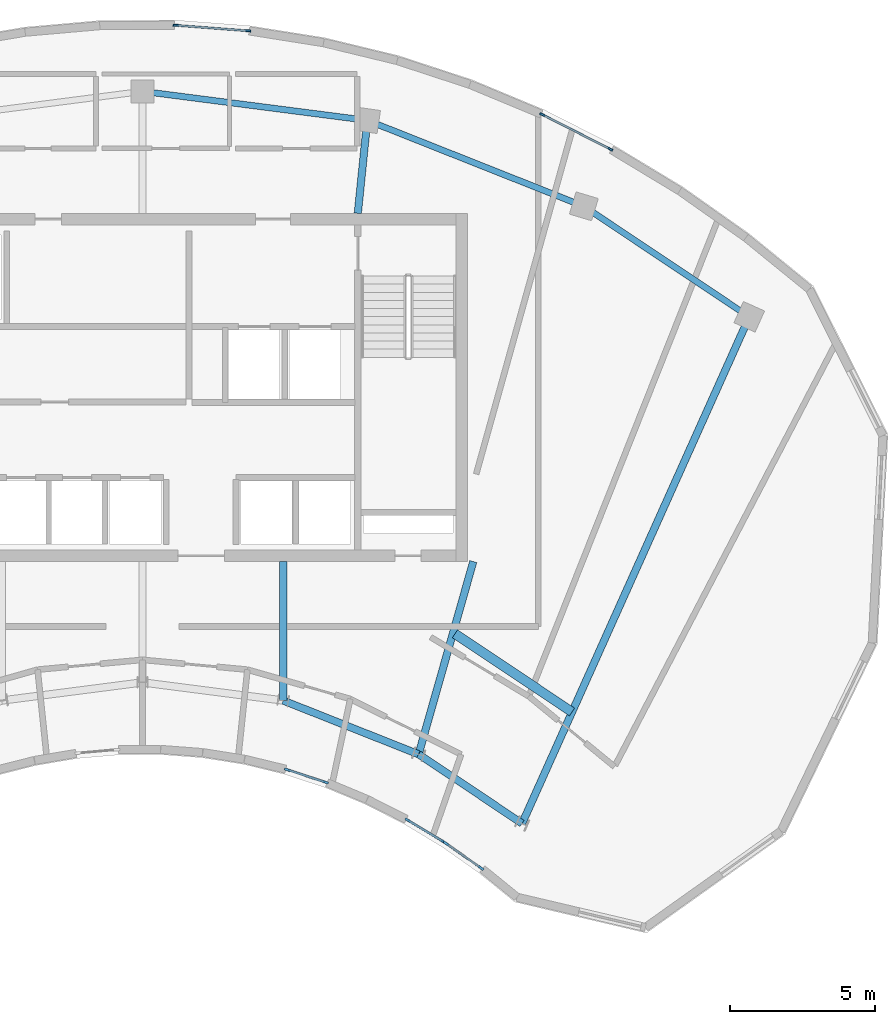
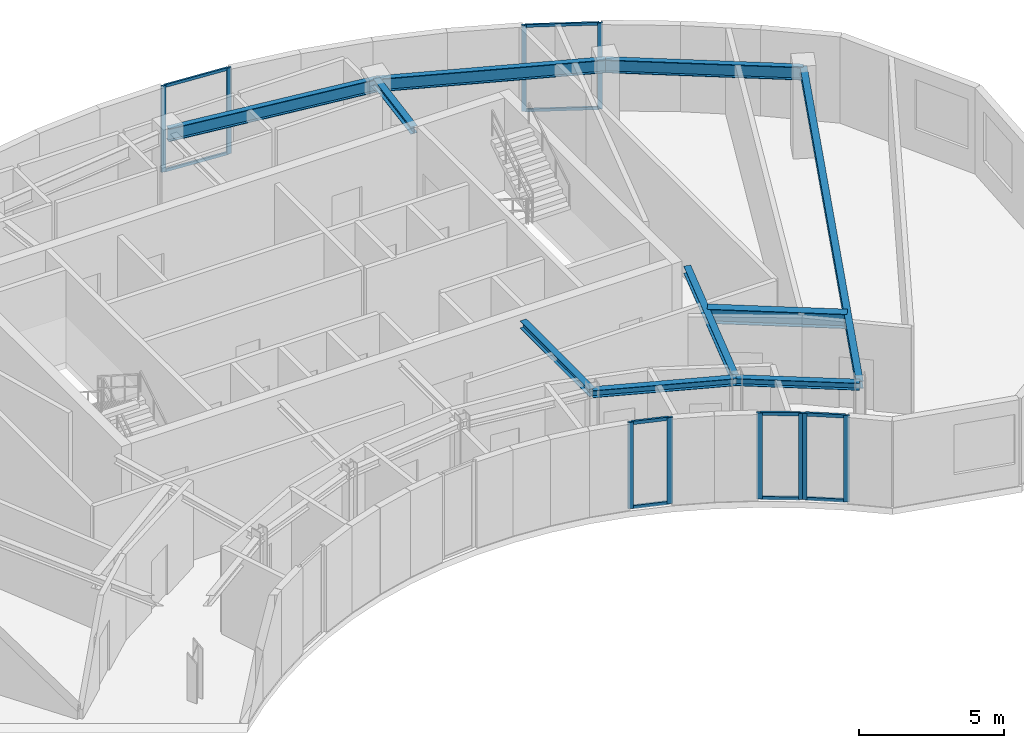
# One storey, part 3 of 9: 20 members, 10 beams, 5 elements without a shape of their own.
"""IFC4 building model written with IfcOpenShell, lengths in metres."""

from ifc_helpers import new_model, si_unit, direction, frame, origin, origin_2d, place, context, subcontext, project, spatial, rectangle, i_section, extrude, source, transform, mapped, material, layer, layer_set, material_profile, profile_set, type_object, element, aggregate, save


model = new_model("IFC4")

# Units and contexts
model_context = context("Model", 3, precision=1e-05, world=origin(), true_north=direction((0.0, 1.0)))
body_context = subcontext(model_context, "Body", "Model", "MODEL_VIEW")
ifc_project = project(units=[si_unit("LENGTHUNIT", "METRE"), si_unit("AREAUNIT", "SQUARE_METRE"), si_unit("VOLUMEUNIT", "CUBIC_METRE"), si_unit("PLANEANGLEUNIT", "RADIAN"), si_unit("MASSUNIT", "GRAM", prefix="KILO")], contexts=[model_context])

# Site, building, storey
site_placement = place(None, origin())
site = spatial("IfcSite", under=ifc_project, at=site_placement, CompositionType="ELEMENT")
building_placement = place(site_placement, origin())
building = spatial("IfcBuilding", under=site, at=building_placement, Name="Breltana Convention Tower", CompositionType="ELEMENT")
storey_placement = place(building_placement, frame((0.0, 0.0, 287.39990234375)))
storey = spatial("IfcBuildingStorey", under=building, at=storey_placement, Name="L70", CompositionType="ELEMENT", Elevation=287.39990234375)

# Beams
ifc_material_1 = material(Name="Steel ASTM A992 Grade 50", Category="steel")
ifc_material_profile_1 = material_profile(ifc_material_1, i_section(OverallWidth=0.323974609375, OverallDepth=0.611083984375, WebThickness=0.0126953125, FlangeThickness=0.01904296875, at=origin_2d()), Name="W24X104")
ifc_profile_set_1 = profile_set([ifc_material_profile_1], Name="Steel ASTM A992 Grade 50")
beam_type_1 = type_object("IfcBeamType", Name="BM-JSG-01", PredefinedType="JOIST", material=ifc_profile_set_1)
shared_shape_1 = source(origin(), body_context, "Body", "SweptSolid", [
    extrude(i_section(OverallWidth=0.323974609375, OverallDepth=0.611083984375, WebThickness=0.0126953125, FlangeThickness=0.01904296875, at=origin_2d()), origin(), (0.0, 0.0, 1.0), 4.854736328125),
])
beam_1_placement = place(storey_placement, frame((58.767578125, 57.71240234375, 3.334716796875), z_axis=(0.831485074305, -0.555547091801, 0.0), x_axis=(0.555547091801, 0.831485074305, 0.0)))
element("IfcBeam", 1, at=beam_1_placement, inside=storey, type_object=beam_type_1, Name="L70 Composite Floor Joist 08.1", PredefinedType="JOIST", context=body_context, shape_type="MappedRepresentation", body=[
    mapped(shared_shape_1, transform((0.0, 0.0, 0.0), scale=1.0)),
])
ifc_material_profile_2 = material_profile(ifc_material_1, i_section(OverallWidth=0.214111328125, OverallDepth=0.549072265625, WebThickness=0.0146484375, FlangeThickness=0.023681640625, at=origin_2d()), Name="W21X93")
ifc_profile_set_2 = profile_set([ifc_material_profile_2], Name="Steel ASTM A992 Grade 50")
beam_type_2 = type_object("IfcBeamType", Name="BM-SP-W21X93", PredefinedType="SPANDREL", material=ifc_profile_set_2)
shared_shape_2 = source(origin(), body_context, "Body", "SweptSolid", [
    extrude(i_section(OverallWidth=0.214111328125, OverallDepth=0.549072265625, WebThickness=0.0146484375, FlangeThickness=0.023681640625, at=origin_2d()), origin(), (0.0, 0.0, 1.0), 8.028564453125),
])
beam_2_placement = place(storey_placement, frame((55.746826171875, 75.404296875, 3.365478515625), z_axis=(0.929459100394, -0.368925169507, 0.0), x_axis=(0.368925169507, 0.929459100394, 0.0)))
element("IfcBeam", 2, at=beam_2_placement, inside=storey, type_object=beam_type_2, Name="L70 Outer Spandrel Beam 07", PredefinedType="SPANDREL", context=body_context, shape_type="MappedRepresentation", body=[
    mapped(shared_shape_2, transform((0.0, 0.0, 0.0), scale=1.0)),
])
shared_shape_3 = source(origin(), body_context, "Body", "SweptSolid", [
    extrude(i_section(OverallWidth=0.214111328125, OverallDepth=0.549072265625, WebThickness=0.0146484375, FlangeThickness=0.023681640625, at=origin_2d()), origin(), (0.0, 0.0, 1.0), 7.81103515625),
])
beam_3_placement = place(storey_placement, frame((48.0, 76.404052734375, 3.365478515625), z_axis=(0.991775179127, -0.127992164083, 0.0), x_axis=(0.127992164083, 0.991775179127, 0.0)))
element("IfcBeam", 3, at=beam_3_placement, inside=storey, type_object=beam_type_2, Name="L70 Outer Spandrel Beam 06", PredefinedType="SPANDREL", context=body_context, shape_type="MappedRepresentation", body=[
    mapped(shared_shape_3, transform((0.0, 0.0, 0.0), scale=1.0)),
])
shared_shape_4 = source(origin(), body_context, "Body", "SweptSolid", [
    extrude(i_section(OverallWidth=0.214111328125, OverallDepth=0.549072265625, WebThickness=0.0146484375, FlangeThickness=0.023681640625, at=origin_2d()), origin(), (0.0, 0.0, 1.0), 6.856689453125),
])
beam_4_placement = place(storey_placement, frame((63.208984375, 72.4423828125, 3.365478515625), z_axis=(0.83150210718, -0.55552159792, 0.0), x_axis=(0.55552159792, 0.83150210718, 0.0)))
element("IfcBeam", 4, at=beam_4_placement, inside=storey, type_object=beam_type_2, Name="L70 Outer Spandrel Beam 08", PredefinedType="SPANDREL", context=body_context, shape_type="MappedRepresentation", body=[
    mapped(shared_shape_4, transform((0.0, 0.0, 0.0), scale=1.0)),
])
ifc_material_profile_3 = material_profile(ifc_material_1, i_section(OverallWidth=0.25390625, OverallDepth=0.305908203125, WebThickness=0.0087890625, FlangeThickness=0.0146484375, at=origin_2d()), Name="W12X53")
ifc_profile_set_3 = profile_set([ifc_material_profile_3], Name="Steel ASTM A992 Grade 50")
beam_type_3 = type_object("IfcBeamType", Name="BM-CN-W12X53", PredefinedType="BEAM", material=ifc_profile_set_3)
shared_shape_5 = source(origin(), body_context, "Body", "SweptSolid", [
    extrude(i_section(OverallWidth=0.25390625, OverallDepth=0.305908203125, WebThickness=0.0087890625, FlangeThickness=0.0146484375, at=origin_2d()), origin(), (0.0, 0.0, 1.0), 6.904541015625),
])
beam_5_placement = place(storey_placement, frame((59.39990234375, 60.199951171875, 3.487060546875), z_axis=(-0.273006781054, -0.962012108811, 0.0), x_axis=(0.962012108811, -0.273006781054, 0.0)))
element("IfcBeam", 5, at=beam_5_placement, inside=storey, type_object=beam_type_3, Name="L70 South Core Tie Girder R08", PredefinedType="BEAM", context=body_context, shape_type="MappedRepresentation", body=[
    mapped(shared_shape_5, transform((0.0, 0.0, 0.0), scale=1.0)),
])
shared_shape_6 = source(origin(), body_context, "Body", "SweptSolid", [
    extrude(i_section(OverallWidth=0.25390625, OverallDepth=0.305908203125, WebThickness=0.0087890625, FlangeThickness=0.0146484375, at=origin_2d()), origin(), (0.0, 0.0, 1.0), 4.789306640625),
])
beam_6_placement = place(storey_placement, frame((52.846435546875, 60.199951171875, 3.487060546875), z_axis=(0.0, -1.0, 0.0), x_axis=(1.0, 0.0, 0.0)))
element("IfcBeam", 6, at=beam_6_placement, inside=storey, type_object=beam_type_3, Name="L70 South Core Tie Girder R07", PredefinedType="BEAM", context=body_context, shape_type="MappedRepresentation", body=[
    mapped(shared_shape_6, transform((0.0, 0.0, 0.0), scale=1.0)),
])
shared_shape_7 = source(origin(), body_context, "Body", "SweptSolid", [
    extrude(i_section(OverallWidth=0.25390625, OverallDepth=0.305908203125, WebThickness=0.0087890625, FlangeThickness=0.0146484375, at=origin_2d()), origin(), (0.0, 0.0, 1.0), 3.220947265625),
])
beam_7_placement = place(storey_placement, frame((55.419921875, 72.199951171875, 3.487060546875), z_axis=(0.101492254858, 0.994836329355, 0.0), x_axis=(-0.994836329355, 0.101492254858, 0.0)))
element("IfcBeam", 7, at=beam_7_placement, inside=storey, type_object=beam_type_3, Name="L70 North Core Radial Girder R07", PredefinedType="BEAM", context=body_context, shape_type="MappedRepresentation", body=[
    mapped(shared_shape_7, transform((0.0, 0.0, 0.0), scale=1.0)),
])
shared_shape_8 = source(origin(), body_context, "Body", "SweptSolid", [
    extrude(i_section(OverallWidth=0.25390625, OverallDepth=0.305908203125, WebThickness=0.0087890625, FlangeThickness=0.0146484375, at=origin_2d()), origin(), (0.0, 0.0, 1.0), 19.133544921875),
])
beam_8_placement = place(storey_placement, frame((61.08203125, 51.174560546875, 3.487060546875), z_axis=(0.409144564164, 0.912469575172, 0.0), x_axis=(-0.912469575172, 0.409144564164, 0.0)))
element("IfcBeam", 8, at=beam_8_placement, inside=storey, type_object=beam_type_3, Name="L70 Radial Floor Girder R09", PredefinedType="BEAM", context=body_context, shape_type="MappedRepresentation", body=[
    mapped(shared_shape_8, transform((0.0, 0.0, 0.0), scale=1.0)),
])
shared_shape_9 = source(origin(), body_context, "Body", "SweptSolid", [
    extrude(i_section(OverallWidth=0.25390625, OverallDepth=0.305908203125, WebThickness=0.0087890625, FlangeThickness=0.0146484375, at=origin_2d()), origin(), (0.0, 0.0, 1.0), 5.022705078125),
])
beam_9_placement = place(storey_placement, frame((52.846435546875, 55.41064453125, 3.487060546875), z_axis=(0.929458966248, -0.368925507469, 0.0), x_axis=(0.368925507469, 0.929458966248, 0.0)))
element("IfcBeam", 9, at=beam_9_placement, inside=storey, type_object=beam_type_3, Name="L70 Inner Ring Beam 07", PredefinedType="BEAM", context=body_context, shape_type="MappedRepresentation", body=[
    mapped(shared_shape_9, transform((0.0, 0.0, 0.0), scale=1.0)),
])
shared_shape_10 = source(origin(), body_context, "Body", "SweptSolid", [
    extrude(i_section(OverallWidth=0.25390625, OverallDepth=0.305908203125, WebThickness=0.0087890625, FlangeThickness=0.0146484375, at=origin_2d()), origin(), (0.0, 0.0, 1.0), 4.2900390625),
])
beam_10_placement = place(storey_placement, frame((57.514892578125, 53.5576171875, 3.487060546875), z_axis=(0.831515827753, -0.555501060482, 0.0), x_axis=(0.555501060482, 0.831515827753, 0.0)))
element("IfcBeam", 10, at=beam_10_placement, inside=storey, type_object=beam_type_3, Name="L70 Inner Ring Beam 08", PredefinedType="BEAM", context=body_context, shape_type="MappedRepresentation", body=[
    mapped(shared_shape_10, transform((0.0, 0.0, 0.0), scale=1.0)),
])

# Curtain wall, members
ifc_material_2 = material(Name="Aluminium Anodised Bronze Frame", Category="aluminium")
ifc_layer_1 = layer(ifc_material_2, 0.18994140625, Name="Aluminium Anodised Bronze Frame")
ifc_layer_set_1 = layer_set([ifc_layer_1], Name="Aluminium Anodised Bronze Frame")
curtain_wall_type_1 = type_object("IfcCurtainWallType", Name="CW-SYS-1", PredefinedType="NOTDEFINED", material=ifc_layer_set_1)
curtain_wall_1_placement = place(storey_placement, origin())
curtain_wall_1 = element("IfcCurtainWall", 11, at=curtain_wall_1_placement, inside=storey, type_object=curtain_wall_type_1, Name="L70 inner south-court glazing 1", PredefinedType="NOTDEFINED")
ifc_material_3 = material(Name="Aluminium Anodised Bronze", Category="aluminium")
ifc_material_profile_4 = material_profile(ifc_material_3, rectangle(XDim=0.080078125, YDim=0.199951171875, at=origin_2d()), Name="CWM-80X200")
ifc_profile_set_4 = profile_set([ifc_material_profile_4], Name="Aluminium Anodised Bronze")
member_type_1 = type_object("IfcMemberType", Name="CWM-200", PredefinedType="MULLION", material=ifc_profile_set_4)
shared_shape_11 = source(origin(), body_context, "Body", "SweptSolid", [
    extrude(rectangle(XDim=0.080078125, YDim=0.199951171875, at=origin_2d()), origin(), (0.0, 0.0, 1.0), 3.64013671875),
])
member_1_placement = place(storey_placement, frame((59.667724609375, 49.635986328125, 0.0), z_axis=(0.0, 0.0, 1.0), x_axis=(-0.576173895534, -0.817327132857, 0.0)))
member_1 = element("IfcMember", 12, at=member_1_placement, type_object=member_type_1, Name="CW-01 mullion 1", PredefinedType="MULLION", context=body_context, shape_type="MappedRepresentation", body=[
    mapped(shared_shape_11, transform((0.0, 0.0, 0.0), scale=1.0)),
])
member_2_placement = place(storey_placement, frame((58.4599609375, 50.4873046875, 0.0), z_axis=(0.0, 0.0, 1.0), x_axis=(-0.576173895534, -0.817327132857, 0.0)))
member_2 = element("IfcMember", 13, at=member_2_placement, type_object=member_type_1, Name="CW-01 mullion 2", PredefinedType="MULLION", context=body_context, shape_type="MappedRepresentation", body=[
    mapped(shared_shape_11, transform((0.0, 0.0, 0.0), scale=1.0)),
])

curtain_wall_2_placement = place(storey_placement, origin())
curtain_wall_2 = element("IfcCurtainWall", 14, at=curtain_wall_2_placement, inside=storey, type_object=curtain_wall_type_1, Name="L70 inner south-court glazing 2", PredefinedType="NOTDEFINED")
member_3_placement = place(storey_placement, frame((58.38232421875, 50.5380859375, 0.0), z_axis=(0.0, 0.0, 1.0), x_axis=(-0.516826673654, -0.856090059164, 0.0)))
member_3 = element("IfcMember", 15, at=member_3_placement, type_object=member_type_1, Name="CW-01 mullion 1", PredefinedType="MULLION", context=body_context, shape_type="MappedRepresentation", body=[
    mapped(shared_shape_11, transform((0.0, 0.0, 0.0), scale=1.0)),
])
member_4_placement = place(storey_placement, frame((57.139404296875, 51.288330078125, 0.0), z_axis=(0.0, 0.0, 1.0), x_axis=(-0.516826673654, -0.856090059164, 0.0)))
member_4 = element("IfcMember", 16, at=member_4_placement, type_object=member_type_1, Name="CW-01 mullion 2", PredefinedType="MULLION", context=body_context, shape_type="MappedRepresentation", body=[
    mapped(shared_shape_11, transform((0.0, 0.0, 0.0), scale=1.0)),
])

curtain_wall_3_placement = place(storey_placement, origin())
curtain_wall_3 = element("IfcCurtainWall", 17, at=curtain_wall_3_placement, inside=storey, type_object=curtain_wall_type_1, Name="L70 inner south-court glazing 3", PredefinedType="NOTDEFINED")
member_5_placement = place(storey_placement, frame((54.3115234375, 52.5927734375, 0.0), z_axis=(0.0, 0.0, 1.0), x_axis=(-0.311551675865, -0.95022921091, 0.0)))
member_5 = element("IfcMember", 18, at=member_5_placement, type_object=member_type_1, Name="CW-01 mullion 1", PredefinedType="MULLION", context=body_context, shape_type="MappedRepresentation", body=[
    mapped(shared_shape_11, transform((0.0, 0.0, 0.0), scale=1.0)),
])
member_6_placement = place(storey_placement, frame((52.990478515625, 53.02587890625, 0.0), z_axis=(0.0, 0.0, 1.0), x_axis=(-0.311551675865, -0.95022921091, 0.0)))
member_6 = element("IfcMember", 19, at=member_6_placement, type_object=member_type_1, Name="CW-01 mullion 2", PredefinedType="MULLION", context=body_context, shape_type="MappedRepresentation", body=[
    mapped(shared_shape_11, transform((0.0, 0.0, 0.0), scale=1.0)),
])

# Member
ifc_material_profile_5 = material_profile(ifc_material_3, rectangle(XDim=0.080078125, YDim=0.139892578125, at=origin_2d()), Name="CWT-80X140")
ifc_profile_set_5 = profile_set([ifc_material_profile_5], Name="Aluminium Anodised Bronze")
member_type_2 = type_object("IfcMemberType", Name="CWT-140", PredefinedType="USERDEFINED", material=ifc_profile_set_5)
shared_shape_12 = source(origin(), body_context, "Body", "SweptSolid", [
    extrude(rectangle(XDim=0.080078125, YDim=0.139892578125, at=origin_2d()), origin(), (0.0, 0.0, 1.0), 1.3974609375),
])
member_7_placement = place(storey_placement, frame((59.635009765625, 49.658935546875, 0.0400390625), z_axis=(-0.817364650956, 0.576120670838, 0.0), x_axis=(-0.576120670838, -0.817364650956, 0.0)))
member_7 = element("IfcMember", 20, at=member_7_placement, type_object=member_type_2, Name="CW-01 transom 1.1", ObjectType="TRANSOM", PredefinedType="USERDEFINED", context=body_context, shape_type="MappedRepresentation", body=[
    mapped(shared_shape_12, transform((0.0, 0.0, 0.0), scale=1.0)),
])

member_8_placement = place(storey_placement, frame((59.635009765625, 49.658935546875, 3.60009765625), z_axis=(-0.817364650956, 0.576120670838, 0.0), x_axis=(-0.576120670838, -0.817364650956, 0.0)))
member_8 = element("IfcMember", 21, at=member_8_placement, type_object=member_type_2, Name="CW-01 transom 1.2", ObjectType="TRANSOM", PredefinedType="USERDEFINED", context=body_context, shape_type="MappedRepresentation", body=[
    mapped(shared_shape_12, transform((0.0, 0.0, 0.0), scale=1.0)),
])

aggregate(curtain_wall_1, [member_1, member_2, member_7, member_8])

shared_shape_13 = source(origin(), body_context, "Body", "SweptSolid", [
    extrude(rectangle(XDim=0.080078125, YDim=0.139892578125, at=origin_2d()), origin(), (0.0, 0.0, 1.0), 1.3720703125),
])
member_9_placement = place(storey_placement, frame((58.34814453125, 50.55859375, 0.0400390625), z_axis=(-0.856123865056, 0.516770672235, 0.0), x_axis=(-0.516770672235, -0.856123865056, 0.0)))
member_9 = element("IfcMember", 22, at=member_9_placement, type_object=member_type_2, Name="CW-01 transom 1.1", ObjectType="TRANSOM", PredefinedType="USERDEFINED", context=body_context, shape_type="MappedRepresentation", body=[
    mapped(shared_shape_13, transform((0.0, 0.0, 0.0), scale=1.0)),
])

member_10_placement = place(storey_placement, frame((58.34814453125, 50.55859375, 3.60009765625), z_axis=(-0.856123865056, 0.516770672235, 0.0), x_axis=(-0.516770672235, -0.856123865056, 0.0)))
member_10 = element("IfcMember", 23, at=member_10_placement, type_object=member_type_2, Name="CW-01 transom 1.2", ObjectType="TRANSOM", PredefinedType="USERDEFINED", context=body_context, shape_type="MappedRepresentation", body=[
    mapped(shared_shape_13, transform((0.0, 0.0, 0.0), scale=1.0)),
])

aggregate(curtain_wall_2, [member_3, member_4, member_9, member_10])

# Curtain wall, members
ifc_layer_2 = layer(ifc_material_2, 0.22998046875, Name="Aluminium Anodised Bronze Frame")
ifc_layer_set_2 = layer_set([ifc_layer_2], Name="Aluminium Anodised Bronze Frame")
curtain_wall_type_2 = type_object("IfcCurtainWallType", Name="CW-SYS-5", PredefinedType="NOTDEFINED", material=ifc_layer_set_2)
curtain_wall_4_placement = place(storey_placement, origin())
curtain_wall_4 = element("IfcCurtainWall", 24, at=curtain_wall_4_placement, inside=storey, type_object=curtain_wall_type_2, Name="L70 outer double-skin inner glazing 3", PredefinedType="NOTDEFINED")
ifc_material_profile_6 = material_profile(ifc_material_3, rectangle(XDim=0.070068359375, YDim=0.175048828125, at=origin_2d()), Name="CWM-70X175")
ifc_profile_set_6 = profile_set([ifc_material_profile_6], Name="Aluminium Anodised Bronze")
member_type_3 = type_object("IfcMemberType", Name="CWM-175", PredefinedType="MULLION", material=ifc_profile_set_6)
shared_shape_14 = source(origin(), body_context, "Body", "SweptSolid", [
    extrude(rectangle(XDim=0.070068359375, YDim=0.175048828125, at=origin_2d()), origin(), (0.0, 0.0, 1.0), 3.64013671875),
])
member_11_placement = place(storey_placement, frame((49.139892578125, 78.680908203125, 0.0), z_axis=(0.0, 0.0, 1.0), x_axis=(0.075890692114, 0.99711614311, 0.0)))
member_11 = element("IfcMember", 25, at=member_11_placement, type_object=member_type_3, Name="CW-05 mullion 1", PredefinedType="MULLION", context=body_context, shape_type="MappedRepresentation", body=[
    mapped(shared_shape_14, transform((0.0, 0.0, 0.0), scale=1.0)),
])
member_12_placement = place(storey_placement, frame((51.643798828125, 78.490234375, 0.0), z_axis=(0.0, 0.0, 1.0), x_axis=(0.075890692114, 0.99711614311, 0.0)))
member_12 = element("IfcMember", 26, at=member_12_placement, type_object=member_type_3, Name="CW-05 mullion 2", PredefinedType="MULLION", context=body_context, shape_type="MappedRepresentation", body=[
    mapped(shared_shape_14, transform((0.0, 0.0, 0.0), scale=1.0)),
])

curtain_wall_5_placement = place(storey_placement, origin())
curtain_wall_5 = element("IfcCurtainWall", 27, at=curtain_wall_5_placement, inside=storey, type_object=curtain_wall_type_2, Name="L70 outer double-skin inner glazing 4", PredefinedType="NOTDEFINED")
member_13_placement = place(storey_placement, frame((61.776123046875, 75.6044921875, 0.0), z_axis=(0.0, 0.0, 1.0), x_axis=(0.452690099305, 0.891667916879, 0.0)))
member_13 = element("IfcMember", 28, at=member_13_placement, type_object=member_type_3, Name="CW-05 mullion 1", PredefinedType="MULLION", context=body_context, shape_type="MappedRepresentation", body=[
    mapped(shared_shape_14, transform((0.0, 0.0, 0.0), scale=1.0)),
])
member_14_placement = place(storey_placement, frame((64.126220703125, 74.411376953125, 0.0), z_axis=(0.0, 0.0, 1.0), x_axis=(0.452690099305, 0.891667916879, 0.0)))
member_14 = element("IfcMember", 29, at=member_14_placement, type_object=member_type_3, Name="CW-05 mullion 2", PredefinedType="MULLION", context=body_context, shape_type="MappedRepresentation", body=[
    mapped(shared_shape_14, transform((0.0, 0.0, 0.0), scale=1.0)),
])

# Member
shared_shape_15 = source(origin(), body_context, "Body", "SweptSolid", [
    extrude(rectangle(XDim=0.080078125, YDim=0.139892578125, at=origin_2d()), origin(), (0.0, 0.0, 1.0), 1.310546875),
])
member_15_placement = place(storey_placement, frame((54.273681640625, 52.605224609375, 0.0400390625), z_axis=(-0.950254852385, 0.31147345877, 0.0), x_axis=(-0.31147345877, -0.950254852385, 0.0)))
member_15 = element("IfcMember", 30, at=member_15_placement, type_object=member_type_2, Name="CW-01 transom 1.1", ObjectType="TRANSOM", PredefinedType="USERDEFINED", context=body_context, shape_type="MappedRepresentation", body=[
    mapped(shared_shape_15, transform((0.0, 0.0, 0.0), scale=1.0)),
])

member_16_placement = place(storey_placement, frame((54.273681640625, 52.605224609375, 3.60009765625), z_axis=(-0.950254852385, 0.31147345877, 0.0), x_axis=(-0.31147345877, -0.950254852385, 0.0)))
member_16 = element("IfcMember", 31, at=member_16_placement, type_object=member_type_2, Name="CW-01 transom 1.2", ObjectType="TRANSOM", PredefinedType="USERDEFINED", context=body_context, shape_type="MappedRepresentation", body=[
    mapped(shared_shape_15, transform((0.0, 0.0, 0.0), scale=1.0)),
])

aggregate(curtain_wall_3, [member_5, member_6, member_15, member_16])

ifc_material_profile_7 = material_profile(ifc_material_3, rectangle(XDim=0.070068359375, YDim=0.1201171875, at=origin_2d()), Name="CWT-70X120")
ifc_profile_set_7 = profile_set([ifc_material_profile_7], Name="Aluminium Anodised Bronze")
member_type_4 = type_object("IfcMemberType", Name="CWT-120", PredefinedType="USERDEFINED", material=ifc_profile_set_7)
shared_shape_16 = source(origin(), body_context, "Body", "SweptSolid", [
    extrude(rectangle(XDim=0.070068359375, YDim=0.1201171875, at=origin_2d()), origin(), (0.0, 0.0, 1.0), 2.441162109375),
])
member_17_placement = place(storey_placement, frame((49.1748046875, 78.67822265625, 0.03515625), z_axis=(0.997114769529, -0.075908737219, 0.0), x_axis=(0.075908737219, 0.997114769529, 0.0)))
member_17 = element("IfcMember", 32, at=member_17_placement, type_object=member_type_4, Name="CW-05 transom 1.1", ObjectType="TRANSOM", PredefinedType="USERDEFINED", context=body_context, shape_type="MappedRepresentation", body=[
    mapped(shared_shape_16, transform((0.0, 0.0, 0.0), scale=1.0)),
])

member_18_placement = place(storey_placement, frame((49.1748046875, 78.67822265625, 3.60498046875), z_axis=(0.997114769529, -0.075908737219, 0.0), x_axis=(0.075908737219, 0.997114769529, 0.0)))
member_18 = element("IfcMember", 33, at=member_18_placement, type_object=member_type_4, Name="CW-05 transom 1.2", ObjectType="TRANSOM", PredefinedType="USERDEFINED", context=body_context, shape_type="MappedRepresentation", body=[
    mapped(shared_shape_16, transform((0.0, 0.0, 0.0), scale=1.0)),
])

aggregate(curtain_wall_4, [member_11, member_12, member_17, member_18])

shared_shape_17 = source(origin(), body_context, "Body", "SweptSolid", [
    extrude(rectangle(XDim=0.070068359375, YDim=0.1201171875, at=origin_2d()), origin(), (0.0, 0.0, 1.0), 2.5654296875),
])
member_19_placement = place(storey_placement, frame((61.807373046875, 75.588623046875, 0.03515625), z_axis=(0.891669724031, -0.452686539724, 0.0), x_axis=(0.452686539724, 0.891669724031, 0.0)))
member_19 = element("IfcMember", 34, at=member_19_placement, type_object=member_type_4, Name="CW-05 transom 1.1", ObjectType="TRANSOM", PredefinedType="USERDEFINED", context=body_context, shape_type="MappedRepresentation", body=[
    mapped(shared_shape_17, transform((0.0, 0.0, 0.0), scale=1.0)),
])

member_20_placement = place(storey_placement, frame((61.807373046875, 75.588623046875, 3.60498046875), z_axis=(0.891669724031, -0.452686539724, 0.0), x_axis=(0.452686539724, 0.891669724031, 0.0)))
member_20 = element("IfcMember", 35, at=member_20_placement, type_object=member_type_4, Name="CW-05 transom 1.2", ObjectType="TRANSOM", PredefinedType="USERDEFINED", context=body_context, shape_type="MappedRepresentation", body=[
    mapped(shared_shape_17, transform((0.0, 0.0, 0.0), scale=1.0)),
])

aggregate(curtain_wall_5, [member_13, member_14, member_19, member_20])

save(model, "model.ifc")
